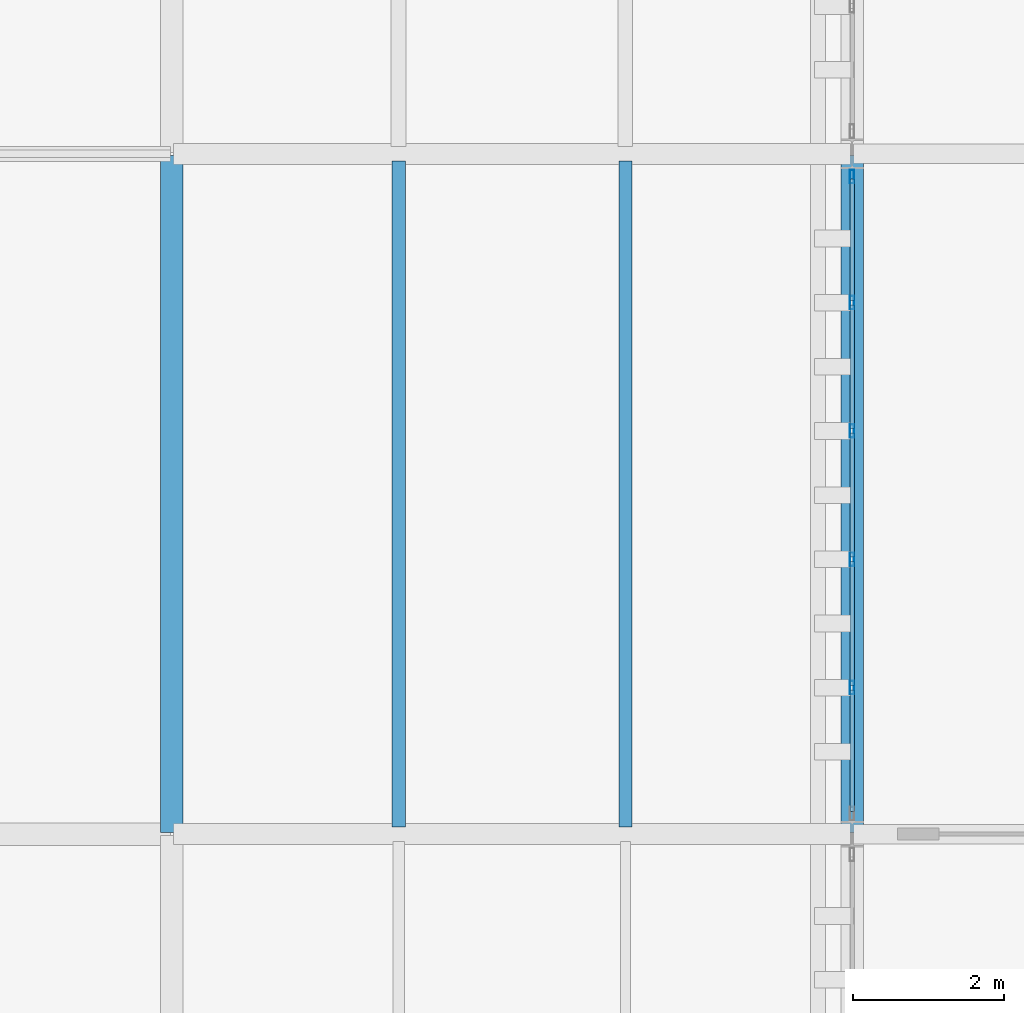
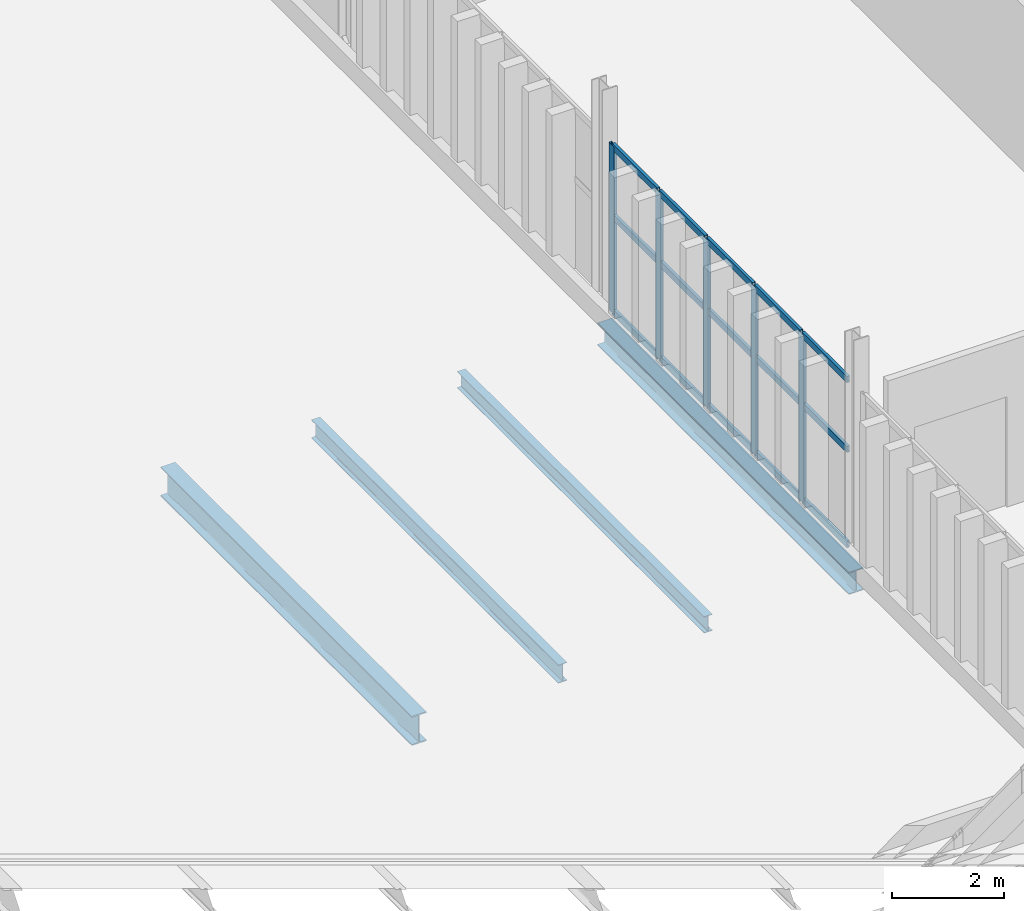
# One storey, part 81 of 196: 20 members, 4 beams, 1 element without a shape of its own.
"""IFC4 building model written with IfcOpenShell, lengths in metres."""

from ifc_helpers import new_model, si_unit, direction, frame, origin, origin_2d, place, context, subcontext, project, spatial, hollow_rectangle, i_section, extrude, material, layer, layer_set, material_profile, profile_set, type_object, element, aggregate, save


model = new_model("IFC4")

# Units and contexts
model_context = context("Model", 3, precision=1e-05, world=origin(), true_north=direction((0.0, 1.0)))
body_context = subcontext(model_context, "Body", "Model", "MODEL_VIEW")
ifc_project = project(units=[si_unit("LENGTHUNIT", "METRE"), si_unit("AREAUNIT", "SQUARE_METRE"), si_unit("VOLUMEUNIT", "CUBIC_METRE"), si_unit("PLANEANGLEUNIT", "RADIAN"), si_unit("MASSUNIT", "GRAM", prefix="KILO")], contexts=[model_context])

# Site, building, storey
site_placement = place(None, origin())
site = spatial("IfcSite", under=ifc_project, at=site_placement, CompositionType="ELEMENT")
building_placement = place(site_placement, origin())
building = spatial("IfcBuilding", under=site, at=building_placement, Name="Barlavento Convention Centre", CompositionType="ELEMENT")
storey_placement = place(building_placement, frame((0.0, 0.0, 18.0)))
storey = spatial("IfcBuildingStorey", under=building, at=storey_placement, Name="L03", CompositionType="ELEMENT", Elevation=18.0)

# Curtain wall, members
ifc_material_1 = material(Name="Powder-coated aluminium and Low-E glass", Category="aluminium")
ifc_layer = layer(ifc_material_1, 0.179931640625)
ifc_layer_set = layer_set([ifc_layer], Name="ARC-CW-CONF-L03")
curtain_wall_type = type_object("IfcCurtainWallType", Name="ARC-CW-CONF-L03", PredefinedType="NOTDEFINED", material=ifc_layer_set)
curtain_wall_placement = place(storey_placement, origin())
curtain_wall = element("IfcCurtainWall", 1, at=curtain_wall_placement, inside=storey, type_object=curtain_wall_type, Name="L03 unitised curtain wall CW08", PredefinedType="NOTDEFINED")
ifc_material_2 = material(Name="Powder-coated aluminium", Category="aluminium")
ifc_material_profile_1 = material_profile(ifc_material_2, hollow_rectangle(XDim=0.06005859375, YDim=0.179931640625, WallThickness=0.0048828125, at=origin_2d()), Name="AL-MULL 60x180x5")
ifc_profile_set_1 = profile_set([ifc_material_profile_1], Name="Powder-coated aluminium")
member_type_1 = type_object("IfcMemberType", Name="ARC-CWM-60X180", PredefinedType="MULLION", material=ifc_profile_set_1)
member_1_placement = place(storey_placement, frame((126.0, 64.93798828125, 0.0), z_axis=(0.0, 0.0, 1.0), x_axis=(-1.0, 0.0, 0.0)))
member_1 = element("IfcMember", 2, at=member_1_placement, type_object=member_type_1, Name="CW08 mullion 2", PredefinedType="MULLION", context=body_context, shape_type="SweptSolid", body=[
    extrude(hollow_rectangle(XDim=0.06005859375, YDim=0.179931640625, WallThickness=0.0048828125, at=origin_2d()), origin(), (0.0, 0.0, 1.0), 3.64990234375),
])
member_2_placement = place(storey_placement, frame((126.0, 66.635986328125, 0.0), z_axis=(0.0, 0.0, 1.0), x_axis=(-1.0, 0.0, 0.0)))
member_2 = element("IfcMember", 3, at=member_2_placement, type_object=member_type_1, Name="CW08 mullion 3", PredefinedType="MULLION", context=body_context, shape_type="SweptSolid", body=[
    extrude(hollow_rectangle(XDim=0.06005859375, YDim=0.179931640625, WallThickness=0.0048828125, at=origin_2d()), origin(), (0.0, 0.0, 1.0), 3.64990234375),
])
member_3_placement = place(storey_placement, frame((126.0, 68.333984375, 0.0), z_axis=(0.0, 0.0, 1.0), x_axis=(-1.0, 0.0, 0.0)))
member_3 = element("IfcMember", 4, at=member_3_placement, type_object=member_type_1, Name="CW08 mullion 4", PredefinedType="MULLION", context=body_context, shape_type="SweptSolid", body=[
    extrude(hollow_rectangle(XDim=0.06005859375, YDim=0.179931640625, WallThickness=0.0048828125, at=origin_2d()), origin(), (0.0, 0.0, 1.0), 3.64990234375),
])
member_4_placement = place(storey_placement, frame((126.0, 70.031982421875, 0.0), z_axis=(0.0, 0.0, 1.0), x_axis=(-1.0, 0.0, 0.0)))
member_4 = element("IfcMember", 5, at=member_4_placement, type_object=member_type_1, Name="CW08 mullion 5", PredefinedType="MULLION", context=body_context, shape_type="SweptSolid", body=[
    extrude(hollow_rectangle(XDim=0.06005859375, YDim=0.179931640625, WallThickness=0.0048828125, at=origin_2d()), origin(), (0.0, 0.0, 1.0), 3.64990234375),
])
member_5_placement = place(storey_placement, frame((126.0, 71.699951171875, 0.0), z_axis=(0.0, 0.0, 1.0), x_axis=(-1.0, 0.0, 0.0)))
member_5 = element("IfcMember", 6, at=member_5_placement, type_object=member_type_1, Name="CW08 mullion 6", PredefinedType="MULLION", context=body_context, shape_type="SweptSolid", body=[
    extrude(hollow_rectangle(XDim=0.06005859375, YDim=0.179931640625, WallThickness=0.0048828125, at=origin_2d()), origin(), (0.0, 0.0, 1.0), 3.64990234375),
])
ifc_material_profile_2 = material_profile(ifc_material_2, hollow_rectangle(XDim=0.06005859375, YDim=0.139892578125, WallThickness=0.00390625, at=origin_2d()), Name="AL-TRAN 60x140x4")
ifc_profile_set_2 = profile_set([ifc_material_profile_2], Name="Powder-coated aluminium")
member_type_2 = type_object("IfcMemberType", Name="ARC-CWT-60X140", PredefinedType="USERDEFINED", material=ifc_profile_set_2)
member_6_placement = place(storey_placement, frame((126.0, 63.300048828125, 0.030029296875), z_axis=(0.0, 1.0, 0.0), x_axis=(-1.0, 0.0, 0.0)))
member_6 = element("IfcMember", 7, at=member_6_placement, type_object=member_type_2, Name="CW08 transom 1.1", ObjectType="TRANSOM", PredefinedType="USERDEFINED", context=body_context, shape_type="SweptSolid", body=[
    extrude(hollow_rectangle(XDim=0.06005859375, YDim=0.139892578125, WallThickness=0.00390625, at=origin_2d()), origin(), (0.0, 0.0, 1.0), 1.60791015625),
])
member_7_placement = place(storey_placement, frame((126.0, 63.300048828125, 2.10009765625), z_axis=(0.0, 1.0, 0.0), x_axis=(-1.0, 0.0, 0.0)))
member_7 = element("IfcMember", 8, at=member_7_placement, type_object=member_type_2, Name="CW08 transom 1.2", ObjectType="TRANSOM", PredefinedType="USERDEFINED", context=body_context, shape_type="SweptSolid", body=[
    extrude(hollow_rectangle(XDim=0.06005859375, YDim=0.139892578125, WallThickness=0.00390625, at=origin_2d()), origin(), (0.0, 0.0, 1.0), 1.60791015625),
])
member_8_placement = place(storey_placement, frame((126.0, 63.300048828125, 3.6201171875), z_axis=(0.0, 1.0, 0.0), x_axis=(-1.0, 0.0, 0.0)))
member_8 = element("IfcMember", 9, at=member_8_placement, type_object=member_type_2, Name="CW08 transom 1.3", ObjectType="TRANSOM", PredefinedType="USERDEFINED", context=body_context, shape_type="SweptSolid", body=[
    extrude(hollow_rectangle(XDim=0.06005859375, YDim=0.139892578125, WallThickness=0.00390625, at=origin_2d()), origin(), (0.0, 0.0, 1.0), 1.60791015625),
])
member_9_placement = place(storey_placement, frame((126.0, 64.968017578125, 0.030029296875), z_axis=(0.0, 1.0, 0.0), x_axis=(-1.0, 0.0, 0.0)))
member_9 = element("IfcMember", 10, at=member_9_placement, type_object=member_type_2, Name="CW08 transom 2.1", ObjectType="TRANSOM", PredefinedType="USERDEFINED", context=body_context, shape_type="SweptSolid", body=[
    extrude(hollow_rectangle(XDim=0.06005859375, YDim=0.139892578125, WallThickness=0.00390625, at=origin_2d()), origin(), (0.0, 0.0, 1.0), 1.637939453125),
])
member_10_placement = place(storey_placement, frame((126.0, 64.968017578125, 2.10009765625), z_axis=(0.0, 1.0, 0.0), x_axis=(-1.0, 0.0, 0.0)))
member_10 = element("IfcMember", 11, at=member_10_placement, type_object=member_type_2, Name="CW08 transom 2.2", ObjectType="TRANSOM", PredefinedType="USERDEFINED", context=body_context, shape_type="SweptSolid", body=[
    extrude(hollow_rectangle(XDim=0.06005859375, YDim=0.139892578125, WallThickness=0.00390625, at=origin_2d()), origin(), (0.0, 0.0, 1.0), 1.637939453125),
])
member_11_placement = place(storey_placement, frame((126.0, 64.968017578125, 3.6201171875), z_axis=(0.0, 1.0, 0.0), x_axis=(-1.0, 0.0, 0.0)))
member_11 = element("IfcMember", 12, at=member_11_placement, type_object=member_type_2, Name="CW08 transom 2.3", ObjectType="TRANSOM", PredefinedType="USERDEFINED", context=body_context, shape_type="SweptSolid", body=[
    extrude(hollow_rectangle(XDim=0.06005859375, YDim=0.139892578125, WallThickness=0.00390625, at=origin_2d()), origin(), (0.0, 0.0, 1.0), 1.637939453125),
])
member_12_placement = place(storey_placement, frame((126.0, 66.666015625, 0.030029296875), z_axis=(0.0, 1.0, 0.0), x_axis=(-1.0, 0.0, 0.0)))
member_12 = element("IfcMember", 13, at=member_12_placement, type_object=member_type_2, Name="CW08 transom 3.1", ObjectType="TRANSOM", PredefinedType="USERDEFINED", context=body_context, shape_type="SweptSolid", body=[
    extrude(hollow_rectangle(XDim=0.06005859375, YDim=0.139892578125, WallThickness=0.00390625, at=origin_2d()), origin(), (0.0, 0.0, 1.0), 1.637939453125),
])
member_13_placement = place(storey_placement, frame((126.0, 66.666015625, 2.10009765625), z_axis=(0.0, 1.0, 0.0), x_axis=(-1.0, 0.0, 0.0)))
member_13 = element("IfcMember", 14, at=member_13_placement, type_object=member_type_2, Name="CW08 transom 3.2", ObjectType="TRANSOM", PredefinedType="USERDEFINED", context=body_context, shape_type="SweptSolid", body=[
    extrude(hollow_rectangle(XDim=0.06005859375, YDim=0.139892578125, WallThickness=0.00390625, at=origin_2d()), origin(), (0.0, 0.0, 1.0), 1.637939453125),
])
member_14_placement = place(storey_placement, frame((126.0, 66.666015625, 3.6201171875), z_axis=(0.0, 1.0, 0.0), x_axis=(-1.0, 0.0, 0.0)))
member_14 = element("IfcMember", 15, at=member_14_placement, type_object=member_type_2, Name="CW08 transom 3.3", ObjectType="TRANSOM", PredefinedType="USERDEFINED", context=body_context, shape_type="SweptSolid", body=[
    extrude(hollow_rectangle(XDim=0.06005859375, YDim=0.139892578125, WallThickness=0.00390625, at=origin_2d()), origin(), (0.0, 0.0, 1.0), 1.637939453125),
])
member_15_placement = place(storey_placement, frame((126.0, 68.364013671875, 0.030029296875), z_axis=(0.0, 1.0, 0.0), x_axis=(-1.0, 0.0, 0.0)))
member_15 = element("IfcMember", 16, at=member_15_placement, type_object=member_type_2, Name="CW08 transom 4.1", ObjectType="TRANSOM", PredefinedType="USERDEFINED", context=body_context, shape_type="SweptSolid", body=[
    extrude(hollow_rectangle(XDim=0.06005859375, YDim=0.139892578125, WallThickness=0.00390625, at=origin_2d()), origin(), (0.0, 0.0, 1.0), 1.637939453125),
])
member_16_placement = place(storey_placement, frame((126.0, 68.364013671875, 2.10009765625), z_axis=(0.0, 1.0, 0.0), x_axis=(-1.0, 0.0, 0.0)))
member_16 = element("IfcMember", 17, at=member_16_placement, type_object=member_type_2, Name="CW08 transom 4.2", ObjectType="TRANSOM", PredefinedType="USERDEFINED", context=body_context, shape_type="SweptSolid", body=[
    extrude(hollow_rectangle(XDim=0.06005859375, YDim=0.139892578125, WallThickness=0.00390625, at=origin_2d()), origin(), (0.0, 0.0, 1.0), 1.637939453125),
])
member_17_placement = place(storey_placement, frame((126.0, 68.364013671875, 3.6201171875), z_axis=(0.0, 1.0, 0.0), x_axis=(-1.0, 0.0, 0.0)))
member_17 = element("IfcMember", 18, at=member_17_placement, type_object=member_type_2, Name="CW08 transom 4.3", ObjectType="TRANSOM", PredefinedType="USERDEFINED", context=body_context, shape_type="SweptSolid", body=[
    extrude(hollow_rectangle(XDim=0.06005859375, YDim=0.139892578125, WallThickness=0.00390625, at=origin_2d()), origin(), (0.0, 0.0, 1.0), 1.637939453125),
])
member_18_placement = place(storey_placement, frame((126.0, 70.06201171875, 0.030029296875), z_axis=(0.0, 1.0, 0.0), x_axis=(-1.0, 0.0, 0.0)))
member_18 = element("IfcMember", 19, at=member_18_placement, type_object=member_type_2, Name="CW08 transom 5.1", ObjectType="TRANSOM", PredefinedType="USERDEFINED", context=body_context, shape_type="SweptSolid", body=[
    extrude(hollow_rectangle(XDim=0.06005859375, YDim=0.139892578125, WallThickness=0.00390625, at=origin_2d()), origin(), (0.0, 0.0, 1.0), 1.60791015625),
])
member_19_placement = place(storey_placement, frame((126.0, 70.06201171875, 2.10009765625), z_axis=(0.0, 1.0, 0.0), x_axis=(-1.0, 0.0, 0.0)))
member_19 = element("IfcMember", 20, at=member_19_placement, type_object=member_type_2, Name="CW08 transom 5.2", ObjectType="TRANSOM", PredefinedType="USERDEFINED", context=body_context, shape_type="SweptSolid", body=[
    extrude(hollow_rectangle(XDim=0.06005859375, YDim=0.139892578125, WallThickness=0.00390625, at=origin_2d()), origin(), (0.0, 0.0, 1.0), 1.60791015625),
])
member_20_placement = place(storey_placement, frame((126.0, 70.06201171875, 3.6201171875), z_axis=(0.0, 1.0, 0.0), x_axis=(-1.0, 0.0, 0.0)))
member_20 = element("IfcMember", 21, at=member_20_placement, type_object=member_type_2, Name="CW08 transom 5.3", ObjectType="TRANSOM", PredefinedType="USERDEFINED", context=body_context, shape_type="SweptSolid", body=[
    extrude(hollow_rectangle(XDim=0.06005859375, YDim=0.139892578125, WallThickness=0.00390625, at=origin_2d()), origin(), (0.0, 0.0, 1.0), 1.60791015625),
])
aggregate(curtain_wall, [member_1, member_2, member_3, member_4, member_5, member_6, member_7, member_8, member_9, member_10, member_11, member_12, member_13, member_14, member_15, member_16, member_17, member_18, member_19, member_20])

# Beams
ifc_material_3 = material(Name="Steel S355", Category="steel")
ifc_material_profile_3 = material_profile(ifc_material_3, i_section(OverallWidth=0.169921875, OverallDepth=0.360107421875, WebThickness=0.008056640625, FlangeThickness=0.0126953125, FilletRadius=0.01806640625, at=origin_2d()), Name="IPE 360")
ifc_profile_set_3 = profile_set([ifc_material_profile_3], Name="Steel S355")
beam_type_1 = type_object("IfcBeamType", Name="STR-BM-JST-IPE360", PredefinedType="JOIST", material=ifc_profile_set_3)
beam_1_placement = place(storey_placement, frame((123.0, 63.094970703125, -0.52490234375), z_axis=(0.0, 1.0, 0.0), x_axis=(-1.0, 0.0, 0.0)))
element("IfcBeam", 22, at=beam_1_placement, inside=storey, type_object=beam_type_1, Name="L03 composite floor joist SJ05", PredefinedType="JOIST", context=body_context, shape_type="SweptSolid", body=[
    extrude(i_section(OverallWidth=0.169921875, OverallDepth=0.360107421875, WebThickness=0.008056640625, FlangeThickness=0.0126953125, FilletRadius=0.01806640625, at=origin_2d()), origin(), (0.0, 0.0, 1.0), 8.81005859375),
])
ifc_material_profile_4 = material_profile(ifc_material_3, i_section(OverallWidth=0.179931640625, OverallDepth=0.39990234375, WebThickness=0.008544921875, FlangeThickness=0.013427734375, FilletRadius=0.02099609375, at=origin_2d()), Name="IPE 400")
ifc_profile_set_4 = profile_set([ifc_material_profile_4], Name="Steel S355")
beam_type_2 = type_object("IfcBeamType", Name="STR-BM-JST-IPE400", PredefinedType="JOIST", material=ifc_profile_set_4)
beam_2_placement = place(storey_placement, frame((120.0, 63.094970703125, -0.544921875), z_axis=(0.0, 1.0, 0.0), x_axis=(-1.0, 0.0, 0.0)))
element("IfcBeam", 23, at=beam_2_placement, inside=storey, type_object=beam_type_2, Name="L03 composite floor joist SJ04", PredefinedType="JOIST", context=body_context, shape_type="SweptSolid", body=[
    extrude(i_section(OverallWidth=0.179931640625, OverallDepth=0.39990234375, WebThickness=0.008544921875, FlangeThickness=0.013427734375, FilletRadius=0.02099609375, at=origin_2d()), origin(), (0.0, 0.0, 1.0), 8.81005859375),
])
ifc_material_profile_5 = material_profile(ifc_material_3, i_section(OverallWidth=0.300048828125, OverallDepth=0.489990234375, WebThickness=0.011962890625, FlangeThickness=0.02294921875, FilletRadius=0.027099609375, at=origin_2d()), Name="HEA 500")
ifc_profile_set_5 = profile_set([ifc_material_profile_5], Name="Steel S355")
beam_type_3 = type_object("IfcBeamType", Name="STR-BM-PRI-HEA500", PredefinedType="BEAM", material=ifc_profile_set_5)
beam_3_placement = place(storey_placement, frame((126.0, 63.02001953125, -0.60498046875), z_axis=(0.0, 1.0, 0.0), x_axis=(-1.0, 0.0, 0.0)))
element("IfcBeam", 24, at=beam_3_placement, inside=storey, type_object=beam_type_3, Name="L03 grid girder BG20", PredefinedType="BEAM", context=body_context, shape_type="SweptSolid", body=[
    extrude(i_section(OverallWidth=0.300048828125, OverallDepth=0.489990234375, WebThickness=0.011962890625, FlangeThickness=0.02294921875, FilletRadius=0.027099609375, at=origin_2d()), origin(), (0.0, 0.0, 1.0), 8.9599609375),
])
ifc_material_profile_6 = material_profile(ifc_material_3, i_section(OverallWidth=0.300048828125, OverallDepth=0.639892578125, WebThickness=0.013427734375, FlangeThickness=0.02587890625, FilletRadius=0.027099609375, at=origin_2d()), Name="HEA 650")
ifc_profile_set_6 = profile_set([ifc_material_profile_6], Name="Steel S355")
beam_type_4 = type_object("IfcBeamType", Name="STR-BM-PRI-HEA650", PredefinedType="BEAM", material=ifc_profile_set_6)
beam_4_placement = place(storey_placement, frame((117.0, 63.02001953125, -0.6650390625), z_axis=(0.0, 1.0, 0.0), x_axis=(-1.0, 0.0, 0.0)))
element("IfcBeam", 25, at=beam_4_placement, inside=storey, type_object=beam_type_4, Name="L03 grid girder BG17", PredefinedType="BEAM", context=body_context, shape_type="SweptSolid", body=[
    extrude(i_section(OverallWidth=0.300048828125, OverallDepth=0.639892578125, WebThickness=0.013427734375, FlangeThickness=0.02587890625, FilletRadius=0.027099609375, at=origin_2d()), origin(), (0.0, 0.0, 1.0), 8.9599609375),
])

save(model, "model.ifc")
